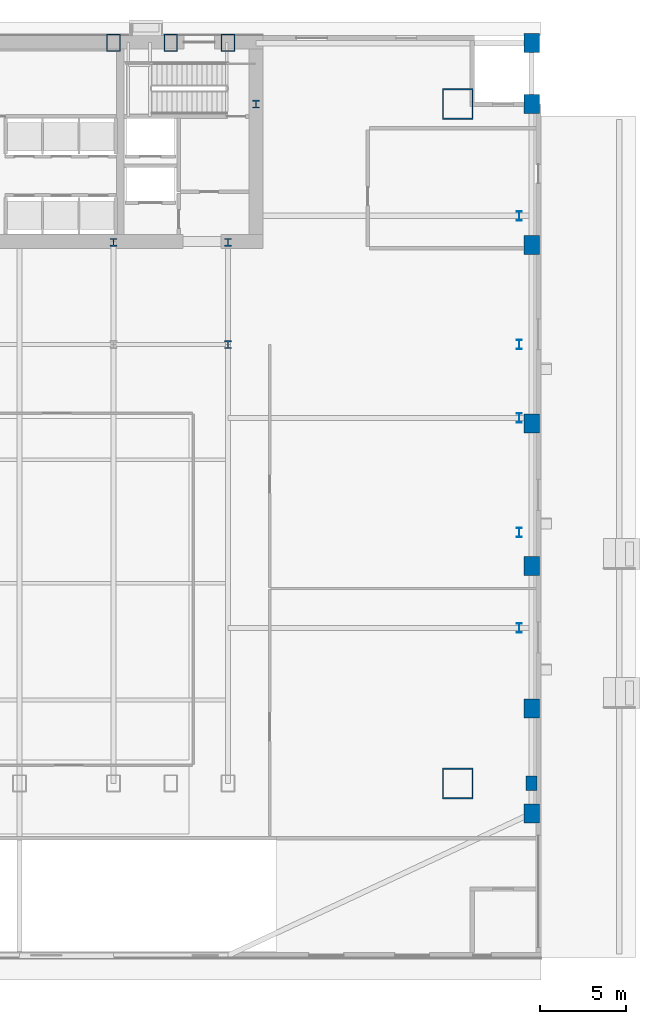
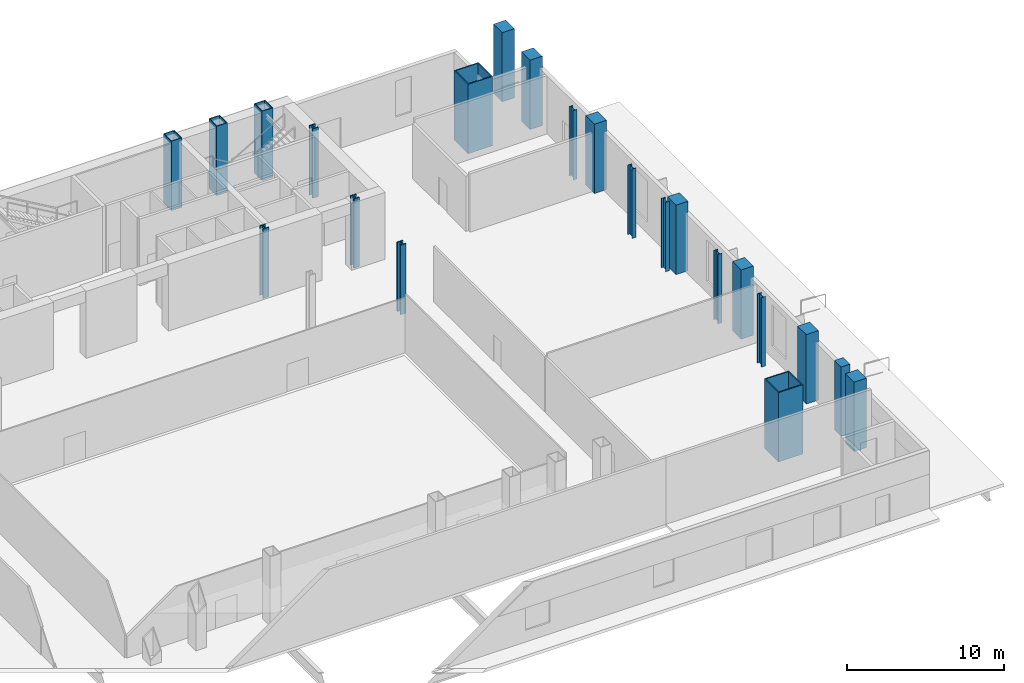
# One storey, part 5 of 16: 22 columns.
"""IFC4 building model written with IfcOpenShell, lengths in metres."""

from ifc_helpers import new_model, si_unit, direction, frame, origin, origin_2d, place, context, subcontext, project, spatial, rectangle, hollow_rectangle, i_section, extrude, material, material_profile, profile_set, type_object, element, save


model = new_model("IFC4")

# Units and contexts
model_context = context("Model", 3, precision=1e-05, world=origin(), true_north=direction((0.0, 1.0)))
body_context = subcontext(model_context, "Body", "Model", "MODEL_VIEW")
ifc_project = project(units=[si_unit("LENGTHUNIT", "METRE"), si_unit("AREAUNIT", "SQUARE_METRE"), si_unit("VOLUMEUNIT", "CUBIC_METRE"), si_unit("PLANEANGLEUNIT", "RADIAN"), si_unit("MASSUNIT", "GRAM", prefix="KILO")], contexts=[model_context])

# Site, building, storey
site_placement = place(None, origin())
site = spatial("IfcSite", under=ifc_project, at=site_placement, CompositionType="ELEMENT")
building_placement = place(site_placement, origin())
building = spatial("IfcBuilding", under=site, at=building_placement, Name="Khoronbel Lancet Exchange", CompositionType="ELEMENT")
storey_placement = place(building_placement, origin())
storey = spatial("IfcBuildingStorey", under=building, at=storey_placement, Name="L00", CompositionType="ELEMENT", Elevation=0.0)

# Columns
ifc_material_1 = material(Name="Steel S460", Category="steel")
ifc_material_profile_1 = material_profile(ifc_material_1, hollow_rectangle(XDim=0.800048828125, YDim=1.0, WallThickness=0.054931640625, at=origin_2d()), Name="BOX 1000x800x55")
ifc_profile_set_1 = profile_set([ifc_material_profile_1], Name="Steel S460")
column_type_1 = type_object("IfcColumnType", Name="COL-EC1", PredefinedType="COLUMN", material=ifc_profile_set_1)
for number, where, z_axis, x_axis, name in (
    (1, (48.0, 53.280029296875, 0.0), (0.0, 0.0, 1.0), (1.0, 0.0, 0.0), "Structural column NC-E1 L00"),
    (2, (51.33740234375, 53.280029296875, 0.0), (0.0, 0.0, 1.0), (1.0, 0.0, 0.0), "Structural column NC-EM L00"),
    (3, (54.675048828125, 53.280029296875, 0.0), (0.0, 0.0, 1.0), (1.0, 0.0, 0.0), "Structural column NC-E2 L00"),
):
    element("IfcColumn", number, at=place(storey_placement, frame(where, z_axis=z_axis, x_axis=x_axis)), inside=storey, type_object=column_type_1, Name=name, PredefinedType="COLUMN", context=body_context, shape_type="SweptSolid", body=[
        extrude(hollow_rectangle(XDim=0.800048828125, YDim=1.0, WallThickness=0.054931640625, at=origin_2d()), origin(), (0.0, 0.0, 1.0), 5.39990234375),
    ])
ifc_material_profile_2 = material_profile(ifc_material_1, i_section(OverallWidth=0.424072265625, OverallDepth=0.47412109375, WebThickness=0.047607421875, FlangeThickness=0.076904296875, at=origin_2d()), Name="HD 400x634")
ifc_profile_set_2 = profile_set([ifc_material_profile_2], Name="Steel S460")
column_type_2 = type_object("IfcColumnType", Name="COL-IC1", PredefinedType="COLUMN", material=ifc_profile_set_2)
for number, where, z_axis, x_axis, name in (
    (4, (56.300048828125, 49.699951171875, 0.0), (0.0, 0.0, 1.0), (1.0, 0.0, 0.0), "Core-flank plumb transfer column CFE L00"),
    (5, (48.0, 41.64990234375, 0.0), (0.0, 0.0, 1.0), (1.0, 0.0, 0.0), "Core-embedded steel column CTC3 L00"),
    (6, (54.675048828125, 35.699951171875, 0.0), (0.0, 0.0, 1.0), (1.0, 0.0, 0.0), "Spine gravity column TC4 L00"),
    (7, (54.675048828125, 41.64990234375, 0.0), (0.0, 0.0, 1.0), (1.0, 0.0, 0.0), "Core-embedded steel column CTC4 L00"),
):
    element("IfcColumn", number, at=place(storey_placement, frame(where, z_axis=z_axis, x_axis=x_axis)), inside=storey, type_object=column_type_2, Name=name, PredefinedType="COLUMN", context=body_context, shape_type="SweptSolid", body=[
        extrude(i_section(OverallWidth=0.424072265625, OverallDepth=0.47412109375, WebThickness=0.047607421875, FlangeThickness=0.076904296875, at=origin_2d()), origin(), (0.0, 0.0, 1.0), 5.39990234375),
    ])
ifc_material_2 = material(Name="Steel S355", Category="steel")
ifc_material_profile_3 = material_profile(ifc_material_2, i_section(OverallWidth=0.300048828125, OverallDepth=0.550048828125, WebThickness=0.014892578125, FlangeThickness=0.029052734375, at=origin_2d()), Name="HEB 550")
ifc_profile_set_3 = profile_set([ifc_material_profile_3], Name="Steel S355")
column_type_3 = type_object("IfcColumnType", Name="COL-LC1", PredefinedType="COLUMN", material=ifc_profile_set_3)
for number, where, z_axis, x_axis, name in (
    (8, (71.6298828125, 19.199951171875, 0.0), (0.0, 0.0, 1.0), (1.0, 0.0, 0.0), "Structural column EC-1 L00"),
    (9, (71.6298828125, 24.75, 0.0), (0.0, 0.0, 1.0), (1.0, 0.0, 0.0), "Structural column EC-2 L00"),
    (10, (71.6298828125, 31.425048828125, 0.0), (0.0, 0.0, 1.0), (1.0, 0.0, 0.0), "Structural column EC-M L00"),
    (11, (71.6298828125, 35.699951171875, 0.0), (0.0, 0.0, 1.0), (1.0, 0.0, 0.0), "Structural column EC-3 L00"),
    (12, (71.6298828125, 43.199951171875, 0.0), (0.0, 0.0, 1.0), (1.0, 0.0, 0.0), "Structural column EC-4 L00"),
):
    element("IfcColumn", number, at=place(storey_placement, frame(where, z_axis=z_axis, x_axis=x_axis)), inside=storey, type_object=column_type_3, Name=name, PredefinedType="COLUMN", context=body_context, shape_type="SweptSolid", body=[
        extrude(i_section(OverallWidth=0.300048828125, OverallDepth=0.550048828125, WebThickness=0.014892578125, FlangeThickness=0.029052734375, at=origin_2d()), origin(), (0.0, 0.0, 1.0), 5.39990234375),
    ])
ifc_material_profile_4 = material_profile(ifc_material_1, hollow_rectangle(XDim=1.800048828125, YDim=1.800048828125, WallThickness=0.080078125, at=origin_2d()), Name="BOX 1800x1800x80")
ifc_profile_set_4 = profile_set([ifc_material_profile_4], Name="Steel S460")
column_type_4 = type_object("IfcColumnType", Name="COL-MC1", PredefinedType="COLUMN", material=ifc_profile_set_4)
for number, where, z_axis, x_axis, name in (
    (13, (68.050048828125, 10.14990234375, 0.0), (0.0, 0.0, 1.0), (1.0, 0.0, 0.0), "Structural column MC-SE L00"),
    (14, (68.050048828125, 49.699951171875, 0.0), (0.0, 0.0, 1.0), (1.0, 0.0, 0.0), "Structural column MC-NE L00"),
):
    element("IfcColumn", number, at=place(storey_placement, frame(where, z_axis=z_axis, x_axis=x_axis)), inside=storey, type_object=column_type_4, Name=name, PredefinedType="COLUMN", context=body_context, shape_type="SweptSolid", body=[
        extrude(hollow_rectangle(XDim=1.800048828125, YDim=1.800048828125, WallThickness=0.080078125, at=origin_2d()), origin(), (0.0, 0.0, 1.0), 5.39990234375),
    ])
ifc_material_3 = material(Name="Concrete C60/75", Category="concrete")
ifc_material_profile_5 = material_profile(ifc_material_3, rectangle(XDim=0.89990234375, YDim=1.10009765625, at=origin_2d()), Name="RC 900x1100")
ifc_profile_set_5 = profile_set([ifc_material_profile_5], Name="Concrete C60/75")
column_type_5 = type_object("IfcColumnType", Name="COL-PIL1", PredefinedType="PILASTER", material=ifc_profile_set_5)
for number, where, z_axis, x_axis, name in (
    (15, (72.35009765625, 8.39990234375, 0.0), (0.0, 0.0, 1.0), (1.0, 0.0, 0.0), "Podium Gothic colonnade pilaster SEP L00"),
    (16, (72.35009765625, 49.699951171875, 0.0), (0.0, 0.0, 1.0), (1.0, 0.0, 0.0), "Podium Gothic colonnade pilaster NEMC L00"),
    (17, (72.35009765625, 53.25, 0.0), (0.0, 0.0, 1.0), (1.0, 0.0, 0.0), "Podium Gothic colonnade pilaster NEP L00"),
    (18, (72.35009765625, 14.5, 0.0), (0.0, 0.0, 1.0), (1.0, 0.0, 0.0), "Podium Gothic colonnade pilaster E1 L00"),
    (19, (72.35009765625, 22.800048828125, 0.0), (0.0, 0.0, 1.0), (1.0, 0.0, 0.0), "Podium Gothic colonnade pilaster E2 L00"),
    (20, (72.35009765625, 31.10009765625, 0.0), (0.0, 0.0, 1.0), (1.0, 0.0, 0.0), "Podium Gothic colonnade pilaster E3 L00"),
    (21, (72.35009765625, 41.5, 0.0), (0.0, 0.0, 1.0), (1.0, 0.0, 0.0), "Podium Gothic colonnade pilaster E4 L00"),
):
    element("IfcColumn", number, at=place(storey_placement, frame(where, z_axis=z_axis, x_axis=x_axis)), inside=storey, type_object=column_type_5, Name=name, PredefinedType="PILASTER", context=body_context, shape_type="SweptSolid", body=[
        extrude(rectangle(XDim=0.89990234375, YDim=1.10009765625, at=origin_2d()), origin(), (0.0, 0.0, 1.0), 5.39990234375),
    ])
ifc_material_profile_6 = material_profile(ifc_material_3, rectangle(XDim=0.64990234375, YDim=0.85009765625, at=origin_2d()), Name="RC 650x850")
ifc_profile_set_6 = profile_set([ifc_material_profile_6], Name="Concrete C60/75")
column_type_6 = type_object("IfcColumnType", Name="COL-PIL3", PredefinedType="PILASTER", material=ifc_profile_set_6)
column_placement = place(storey_placement, frame((72.35009765625, 10.14990234375, 0.0), z_axis=(0.0, 0.0, 1.0), x_axis=(1.0, 0.0, 0.0)))
element("IfcColumn", 22, at=column_placement, inside=storey, type_object=column_type_6, Name="Podium Gothic colonnade pilaster EMC L00", PredefinedType="PILASTER", context=body_context, shape_type="SweptSolid", body=[
    extrude(rectangle(XDim=0.64990234375, YDim=0.85009765625, at=origin_2d()), origin(), (0.0, 0.0, 1.0), 5.39990234375),
])

save(model, "model.ifc")
